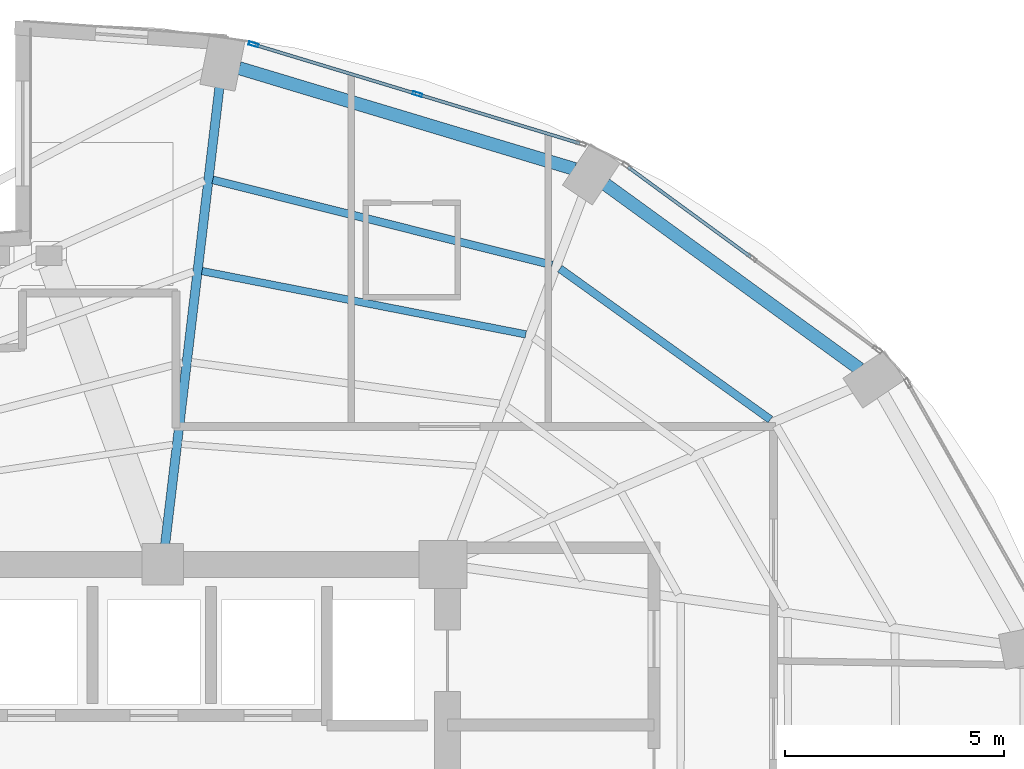
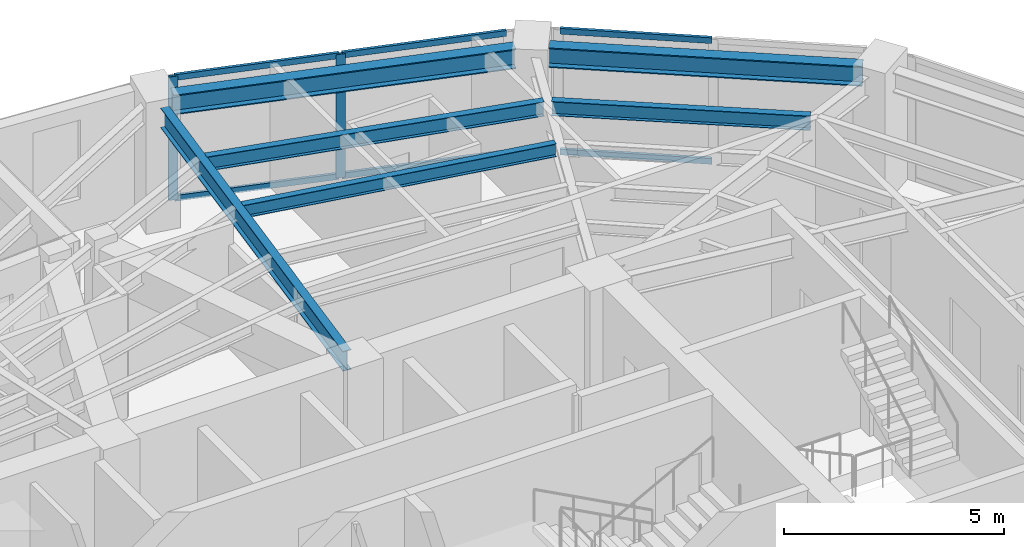
# One storey, part 13 of 20: 8 members, 6 beams, 2 elements without a shape of their own.
"""IFC4 building model written with IfcOpenShell, lengths in metres."""

from ifc_helpers import new_model, si_unit, direction, frame, origin, origin_2d, place, context, subcontext, project, spatial, hollow_rectangle, i_section, extrude, material, layer, layer_set, material_profile, profile_set, type_object, element, aggregate, save


model = new_model("IFC4")

# Units and contexts
model_context = context("Model", 3, precision=1e-05, world=origin(), true_north=direction((0.0, 1.0)))
body_context = subcontext(model_context, "Body", "Model", "MODEL_VIEW")
ifc_project = project(units=[si_unit("LENGTHUNIT", "METRE"), si_unit("AREAUNIT", "SQUARE_METRE"), si_unit("VOLUMEUNIT", "CUBIC_METRE"), si_unit("PLANEANGLEUNIT", "RADIAN"), si_unit("MASSUNIT", "GRAM", prefix="KILO")], contexts=[model_context])

# Site, building, storey
site_placement = place(None, origin())
site = spatial("IfcSite", under=ifc_project, at=site_placement, CompositionType="ELEMENT")
building_placement = place(site_placement, origin())
building = spatial("IfcBuilding", under=site, at=building_placement, Name="Lazwardi Medical Tower", CompositionType="ELEMENT")
storey_placement = place(building_placement, frame((0.0, 0.0, 138.2880859375)))
storey = spatial("IfcBuildingStorey", under=building, at=storey_placement, Name="L35", CompositionType="ELEMENT", Elevation=138.2880859375)

# Beams
ifc_material_1 = material(Name="Steel S355", Category="steel")
ifc_material_profile_1 = material_profile(ifc_material_1, i_section(OverallWidth=0.300048828125, OverallDepth=0.550048828125, WebThickness=0.014892578125, FlangeThickness=0.029052734375, at=origin_2d()), Name="HEB 550")
ifc_profile_set_1 = profile_set([ifc_material_profile_1], Name="Steel S355")
beam_type_1 = type_object("IfcBeamType", Name="BM-RB-Z3", PredefinedType="BEAM", material=ifc_profile_set_1)
beam_1_placement = place(storey_placement, frame((55.11181640625, 40.06591796875, 3.15283203125), z_axis=(-0.809127570774, 0.587633026824, 0.0), x_axis=(-0.587633026824, -0.809127570774, 0.0)))
element("IfcBeam", 1, at=beam_1_placement, inside=storey, type_object=beam_type_1, Name="Ring beam RB-04 B06 L35", PredefinedType="BEAM", context=body_context, shape_type="SweptSolid", body=[
    extrude(i_section(OverallWidth=0.300048828125, OverallDepth=0.550048828125, WebThickness=0.014892578125, FlangeThickness=0.029052734375, at=origin_2d()), origin(), (0.0, 0.0, 1.0), 7.170166015625),
])
beam_2_placement = place(storey_placement, frame((48.603515625, 44.62939453125, 3.15283203125), z_axis=(-0.957616873483, 0.288045002771, 0.0), x_axis=(-0.288045002771, -0.957616873483, 0.0)))
element("IfcBeam", 2, at=beam_2_placement, inside=storey, type_object=beam_type_1, Name="Ring beam RB-04 B07 L35", PredefinedType="BEAM", context=body_context, shape_type="SweptSolid", body=[
    extrude(i_section(OverallWidth=0.300048828125, OverallDepth=0.550048828125, WebThickness=0.014892578125, FlangeThickness=0.029052734375, at=origin_2d()), origin(), (0.0, 0.0, 1.0), 7.99951171875),
])
ifc_material_profile_2 = material_profile(ifc_material_1, i_section(OverallWidth=0.2099609375, OverallDepth=0.550048828125, WebThickness=0.010986328125, FlangeThickness=0.01708984375, at=origin_2d()), Name="IPE 550")
ifc_profile_set_2 = profile_set([ifc_material_profile_2], Name="Steel S355")
beam_type_2 = type_object("IfcBeamType", Name="BM-RG-W2", PredefinedType="BEAM", material=ifc_profile_set_2)
beam_3_placement = place(storey_placement, frame((40.494140625, 46.49267578125, 3.15283203125), z_axis=(-0.117968004211, -0.993017396616, 0.0), x_axis=(0.993017396616, -0.117968004211, 0.0)))
element("IfcBeam", 3, at=beam_3_placement, inside=storey, type_object=beam_type_2, Name="Radial girder RG-03 R08 L35", PredefinedType="BEAM", context=body_context, shape_type="SweptSolid", body=[
    extrude(i_section(OverallWidth=0.2099609375, OverallDepth=0.550048828125, WebThickness=0.010986328125, FlangeThickness=0.01708984375, at=origin_2d()), origin(), (0.0, 0.0, 1.0), 10.50927734375),
])
ifc_material_profile_3 = material_profile(ifc_material_1, i_section(OverallWidth=0.179931640625, OverallDepth=0.39990234375, WebThickness=0.008544921875, FlangeThickness=0.013427734375, at=origin_2d()), Name="IPE 400")
ifc_profile_set_3 = profile_set([ifc_material_profile_3], Name="Steel S355")
beam_type_3 = type_object("IfcBeamType", Name="BM-SJ-01", PredefinedType="JOIST", material=ifc_profile_set_3)
beam_4_placement = place(storey_placement, frame((53.073974609375, 38.908203125, 3.22802734375), z_axis=(-0.812602017757, 0.582818977675, 0.0), x_axis=(-0.582818977675, -0.812602017757, 0.0)))
element("IfcBeam", 4, at=beam_4_placement, inside=storey, type_object=beam_type_3, Name="Secondary joist SJ-01 R1 B06 L35", PredefinedType="JOIST", context=body_context, shape_type="SweptSolid", body=[
    extrude(i_section(OverallWidth=0.179931640625, OverallDepth=0.39990234375, WebThickness=0.008544921875, FlangeThickness=0.013427734375, at=origin_2d()), origin(), (0.0, 0.0, 1.0), 5.91259765625),
])
beam_5_placement = place(storey_placement, frame((48.091064453125, 42.43701171875, 3.22802734375), z_axis=(-0.969933596942, 0.243369713652, 0.0), x_axis=(-0.243369713652, -0.969933596942, 0.0)))
element("IfcBeam", 5, at=beam_5_placement, inside=storey, type_object=beam_type_3, Name="Secondary joist SJ-01 R1 B07 L35", PredefinedType="JOIST", context=body_context, shape_type="SweptSolid", body=[
    extrude(i_section(OverallWidth=0.179931640625, OverallDepth=0.39990234375, WebThickness=0.008544921875, FlangeThickness=0.013427734375, at=origin_2d()), origin(), (0.0, 0.0, 1.0), 7.98828125),
])
ifc_material_profile_4 = material_profile(ifc_material_1, i_section(OverallWidth=0.169921875, OverallDepth=0.360107421875, WebThickness=0.008056640625, FlangeThickness=0.0126953125, at=origin_2d()), Name="IPE 360")
ifc_profile_set_4 = profile_set([ifc_material_profile_4], Name="Steel S355")
beam_type_4 = type_object("IfcBeamType", Name="BM-SJ-02", PredefinedType="JOIST", material=ifc_profile_set_4)
beam_6_placement = place(storey_placement, frame((47.490478515625, 40.853515625, 3.247802734375), z_axis=(-0.98141534692, 0.191895588353, 0.0), x_axis=(-0.191895588353, -0.98141534692, 0.0)))
element("IfcBeam", 6, at=beam_6_placement, inside=storey, type_object=beam_type_4, Name="Secondary joist SJ-02 R2 B07 L35", PredefinedType="JOIST", context=body_context, shape_type="SweptSolid", body=[
    extrude(i_section(OverallWidth=0.169921875, OverallDepth=0.360107421875, WebThickness=0.008056640625, FlangeThickness=0.0126953125, at=origin_2d()), origin(), (0.0, 0.0, 1.0), 7.534423828125),
])

# Curtain wall, members
ifc_material_2 = material(Name="Anodised bronze aluminium and solar control glazing", Category="aluminium")
ifc_layer = layer(ifc_material_2, 0.195068359375)
ifc_layer_set = layer_set([ifc_layer], Name="Anodised bronze aluminium and solar control glazing")
curtain_wall_type = type_object("IfcCurtainWallType", Name="CW-SYS-03", PredefinedType="NOTDEFINED", material=ifc_layer_set)
curtain_wall_1_placement = place(storey_placement, origin())
curtain_wall_1 = element("IfcCurtainWall", 7, at=curtain_wall_1_placement, inside=storey, type_object=curtain_wall_type, Name="L35 Unitised bronze curtain wall CW-03", PredefinedType="NOTDEFINED")
ifc_material_3 = material(Name="Anodised bronze aluminium", Category="aluminium")
ifc_material_profile_5 = material_profile(ifc_material_3, hollow_rectangle(XDim=0.074951171875, YDim=0.219970703125, WallThickness=0.00390625, at=origin_2d()), Name="ALU-MULLION 220x75x4")
ifc_profile_set_5 = profile_set([ifc_material_profile_5], Name="Anodised bronze aluminium")
member_type_1 = type_object("IfcMemberType", Name="CW-MUL-01", PredefinedType="MULLION", material=ifc_profile_set_5)
member_1_placement = place(storey_placement, frame((45.01513671875, 46.338623046875, 0.0), z_axis=(0.0, 0.0, 1.0), x_axis=(-0.290280785441, -0.956941516292, 0.0)))
member_1 = element("IfcMember", 8, at=member_1_placement, type_object=member_type_1, Name="CW-03 mullion 2", PredefinedType="MULLION", context=body_context, shape_type="SweptSolid", body=[
    extrude(hollow_rectangle(XDim=0.074951171875, YDim=0.219970703125, WallThickness=0.00390625, at=origin_2d()), origin(), (0.0, 0.0, 1.0), 3.427978515625),
])
member_2_placement = place(storey_placement, frame((41.27197265625, 47.47412109375, 0.0), z_axis=(0.0, 0.0, 1.0), x_axis=(-0.290280785441, -0.956941516292, 0.0)))
member_2 = element("IfcMember", 9, at=member_2_placement, type_object=member_type_1, Name="CW-03 mullion 3", PredefinedType="MULLION", context=body_context, shape_type="SweptSolid", body=[
    extrude(hollow_rectangle(XDim=0.074951171875, YDim=0.219970703125, WallThickness=0.00390625, at=origin_2d()), origin(), (0.0, 0.0, 1.0), 3.427978515625),
])

curtain_wall_2_placement = place(storey_placement, origin())
curtain_wall_2 = element("IfcCurtainWall", 10, at=curtain_wall_2_placement, inside=storey, type_object=curtain_wall_type, Name="L35 Unitised bronze curtain wall CW-03", PredefinedType="NOTDEFINED")
ifc_material_profile_6 = material_profile(ifc_material_3, hollow_rectangle(XDim=0.074951171875, YDim=0.159912109375, WallThickness=0.00390625, at=origin_2d()), Name="ALU-TRANSOM 160x75x4")
ifc_profile_set_6 = profile_set([ifc_material_profile_6], Name="Anodised bronze aluminium")
member_type_2 = type_object("IfcMemberType", Name="CW-TRN-01", PredefinedType="USERDEFINED", material=ifc_profile_set_6)
member_3_placement = place(storey_placement, frame((52.62744140625, 42.62109375, 0.037353515625), z_axis=(-0.806807161185, 0.590814864962, 0.0), x_axis=(-0.590814864962, -0.806807161185, 0.0)))
member_3 = element("IfcMember", 11, at=member_3_placement, type_object=member_type_2, Name="CW-03 transom 2.1", ObjectType="TRANSOM", PredefinedType="USERDEFINED", context=body_context, shape_type="SweptSolid", body=[
    extrude(hollow_rectangle(XDim=0.074951171875, YDim=0.159912109375, WallThickness=0.00390625, at=origin_2d()), origin(), (0.0, 0.0, 1.0), 3.472412109375),
])
member_4_placement = place(storey_placement, frame((52.62744140625, 42.62109375, 3.390380859375), z_axis=(-0.806807161185, 0.590814864962, 0.0), x_axis=(-0.590814864962, -0.806807161185, 0.0)))
member_4 = element("IfcMember", 12, at=member_4_placement, type_object=member_type_2, Name="CW-03 transom 2.2", ObjectType="TRANSOM", PredefinedType="USERDEFINED", context=body_context, shape_type="SweptSolid", body=[
    extrude(hollow_rectangle(XDim=0.074951171875, YDim=0.159912109375, WallThickness=0.00390625, at=origin_2d()), origin(), (0.0, 0.0, 1.0), 3.472412109375),
])
aggregate(curtain_wall_2, [member_3, member_4])

# Member
member_5_placement = place(storey_placement, frame((48.72216796875, 45.214111328125, 0.037353515625), z_axis=(-0.956930154175, 0.290318239233, 0.0), x_axis=(-0.290318239233, -0.956930154175, 0.0)))
member_5 = element("IfcMember", 13, at=member_5_placement, type_object=member_type_2, Name="CW-03 transom 1.1", ObjectType="TRANSOM", PredefinedType="USERDEFINED", context=body_context, shape_type="SweptSolid", body=[
    extrude(hollow_rectangle(XDim=0.074951171875, YDim=0.159912109375, WallThickness=0.00390625, at=origin_2d()), origin(), (0.0, 0.0, 1.0), 3.83642578125),
])

member_6_placement = place(storey_placement, frame((48.72216796875, 45.214111328125, 3.390380859375), z_axis=(-0.956930154175, 0.290318239233, 0.0), x_axis=(-0.290318239233, -0.956930154175, 0.0)))
member_6 = element("IfcMember", 14, at=member_6_placement, type_object=member_type_2, Name="CW-03 transom 1.2", ObjectType="TRANSOM", PredefinedType="USERDEFINED", context=body_context, shape_type="SweptSolid", body=[
    extrude(hollow_rectangle(XDim=0.074951171875, YDim=0.159912109375, WallThickness=0.00390625, at=origin_2d()), origin(), (0.0, 0.0, 1.0), 3.83642578125),
])

member_7_placement = place(storey_placement, frame((44.979248046875, 46.349609375, 0.037353515625), z_axis=(-0.95695319357, 0.290242287264, 0.0), x_axis=(-0.290242287264, -0.95695319357, 0.0)))
member_7 = element("IfcMember", 15, at=member_7_placement, type_object=member_type_2, Name="CW-03 transom 2.1", ObjectType="TRANSOM", PredefinedType="USERDEFINED", context=body_context, shape_type="SweptSolid", body=[
    extrude(hollow_rectangle(XDim=0.074951171875, YDim=0.159912109375, WallThickness=0.00390625, at=origin_2d()), origin(), (0.0, 0.0, 1.0), 3.83642578125),
])

member_8_placement = place(storey_placement, frame((44.979248046875, 46.349609375, 3.390380859375), z_axis=(-0.95695319357, 0.290242287264, 0.0), x_axis=(-0.290242287264, -0.95695319357, 0.0)))
member_8 = element("IfcMember", 16, at=member_8_placement, type_object=member_type_2, Name="CW-03 transom 2.2", ObjectType="TRANSOM", PredefinedType="USERDEFINED", context=body_context, shape_type="SweptSolid", body=[
    extrude(hollow_rectangle(XDim=0.074951171875, YDim=0.159912109375, WallThickness=0.00390625, at=origin_2d()), origin(), (0.0, 0.0, 1.0), 3.83642578125),
])

aggregate(curtain_wall_1, [member_1, member_2, member_5, member_6, member_7, member_8])

save(model, "model.ifc")
